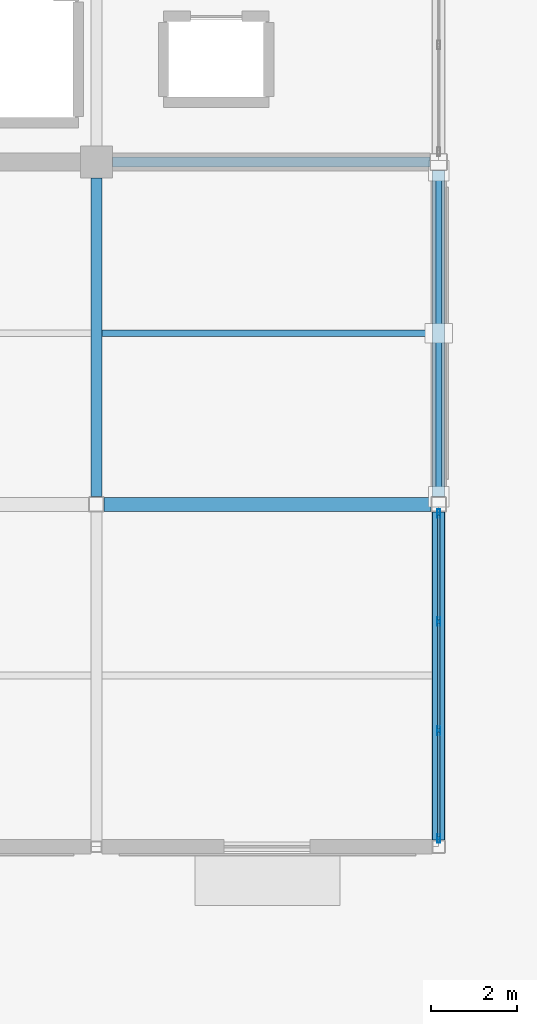
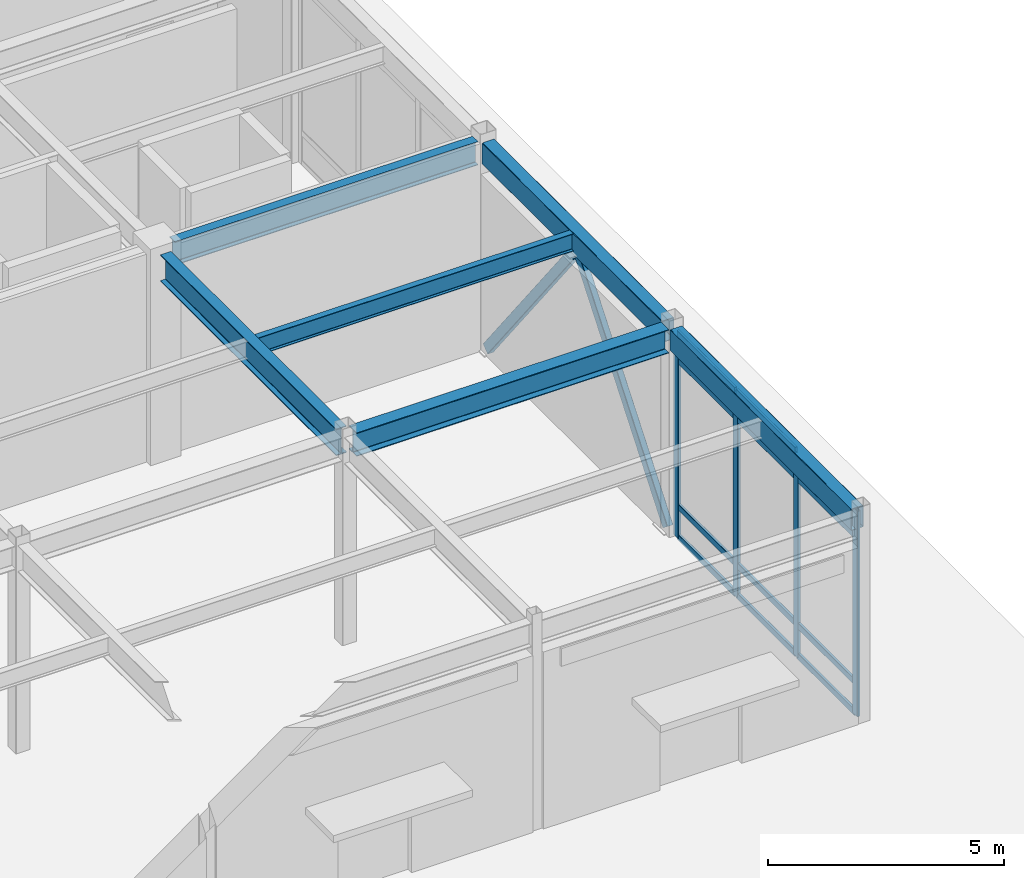
# One storey, part 86 of 128: 18 members, 6 beams, 1 element without a shape of its own.
"""IFC4 building model written with IfcOpenShell, lengths in metres."""

from ifc_helpers import new_model, si_unit, direction, frame, origin, origin_2d, place, context, subcontext, project, spatial, hollow_rectangle, i_section, extrude, material, material_profile, profile_set, type_object, element, aggregate, save


model = new_model("IFC4")

# Units and contexts
model_context = context("Model", 3, precision=1e-05, world=origin(), true_north=direction((0.0, 1.0)))
body_context = subcontext(model_context, "Body", "Model", "MODEL_VIEW")
ifc_project = project(units=[si_unit("LENGTHUNIT", "METRE"), si_unit("AREAUNIT", "SQUARE_METRE"), si_unit("VOLUMEUNIT", "CUBIC_METRE"), si_unit("PLANEANGLEUNIT", "RADIAN"), si_unit("MASSUNIT", "GRAM", prefix="KILO")], contexts=[model_context])

# Site, building, storey
site_placement = place(None, origin())
site = spatial("IfcSite", under=ifc_project, at=site_placement, CompositionType="ELEMENT")
building_placement = place(site_placement, origin())
building = spatial("IfcBuilding", under=site, at=building_placement, Name="Solmirada Galleria", CompositionType="ELEMENT")
storey_placement = place(building_placement, origin())
storey = spatial("IfcBuildingStorey", under=building, at=storey_placement, Name="L00", CompositionType="ELEMENT", Elevation=0.0)

# Beams
ifc_material_1 = material(Name="Steel S355 / ASTM A992 Grade 50", Category="steel")
ifc_material_profile_1 = material_profile(ifc_material_1, i_section(OverallWidth=0.323974609375, OverallDepth=0.611083984375, WebThickness=0.0126953125, FlangeThickness=0.01904296875, FilletRadius=0.014892578125, at=origin_2d()), Name="W24X104")
ifc_profile_set_1 = profile_set([ifc_material_profile_1], Name="Steel S355 / ASTM A992 Grade 50")
beam_type_1 = type_object("IfcBeamType", Name="BM-GIRD-W24A", PredefinedType="BEAM", material=ifc_profile_set_1)
beam_1_placement = place(storey_placement, frame((168.177978515625, 80.0, 5.074462890625), z_axis=(1.0, 0.0, 0.0), x_axis=(0.0, 1.0, 0.0)))
element("IfcBeam", 1, at=beam_1_placement, inside=storey, type_object=beam_type_1, Name="Primary beam L01 X(168..176, 80)", PredefinedType="BEAM", context=body_context, shape_type="SweptSolid", body=[
    extrude(i_section(OverallWidth=0.323974609375, OverallDepth=0.611083984375, WebThickness=0.0126953125, FlangeThickness=0.01904296875, FilletRadius=0.014892578125, at=origin_2d()), origin(), (0.0, 0.0, 1.0), 7.64404296875),
])
ifc_material_profile_2 = material_profile(ifc_material_1, i_section(OverallWidth=0.22900390625, OverallDepth=0.612060546875, WebThickness=0.011962890625, FlangeThickness=0.01953125, FilletRadius=0.014892578125, at=origin_2d()), Name="W24X84")
ifc_profile_set_2 = profile_set([ifc_material_profile_2], Name="Steel S355 / ASTM A992 Grade 50")
beam_type_2 = type_object("IfcBeamType", Name="BM-GIRD-W24B", PredefinedType="BEAM", material=ifc_profile_set_2)
beam_2_placement = place(storey_placement, frame((168.375, 88.0, 5.073974609375), z_axis=(1.0, 0.0, 0.0), x_axis=(0.0, 1.0, 0.0)))
element("IfcBeam", 2, at=beam_2_placement, inside=storey, type_object=beam_type_2, Name="Primary beam L01 X(168..176, 88)", PredefinedType="BEAM", context=body_context, shape_type="SweptSolid", body=[
    extrude(i_section(OverallWidth=0.22900390625, OverallDepth=0.612060546875, WebThickness=0.011962890625, FlangeThickness=0.01953125, FilletRadius=0.014892578125, at=origin_2d()), origin(), (0.0, 0.0, 1.0), 7.422119140625),
])
ifc_material_profile_3 = material_profile(ifc_material_1, i_section(OverallWidth=0.256103515625, OverallDepth=0.693115234375, WebThickness=0.014404296875, FlangeThickness=0.023681640625, FilletRadius=0.01806640625, at=origin_2d()), Name="W27X114")
ifc_profile_set_3 = profile_set([ifc_material_profile_3], Name="Steel S355 / ASTM A992 Grade 50")
beam_type_3 = type_object("IfcBeamType", Name="BM-GIRD-W27A", PredefinedType="BEAM", material=ifc_profile_set_3)
beam_3_placement = place(storey_placement, frame((168.0, 80.177978515625, 5.033447265625), z_axis=(0.0, 1.0, 0.0), x_axis=(-1.0, 0.0, 0.0)))
element("IfcBeam", 3, at=beam_3_placement, inside=storey, type_object=beam_type_3, Name="Primary girder L01 Y(168, 80..88)", PredefinedType="BEAM", context=body_context, shape_type="SweptSolid", body=[
    extrude(i_section(OverallWidth=0.256103515625, OverallDepth=0.693115234375, WebThickness=0.014404296875, FlangeThickness=0.023681640625, FilletRadius=0.01806640625, at=origin_2d()), origin(), (0.0, 0.0, 1.0), 7.447021484375),
])
ifc_material_profile_4 = material_profile(ifc_material_1, i_section(OverallWidth=0.153076171875, OverallDepth=0.455078125, WebThickness=0.008056640625, FlangeThickness=0.01318359375, FilletRadius=0.011962890625, at=origin_2d()), Name="W18X40")
ifc_profile_set_4 = profile_set([ifc_material_profile_4], Name="Steel S355 / ASTM A992 Grade 50")
beam_type_4 = type_object("IfcBeamType", Name="BM-JST-W18A", PredefinedType="JOIST", material=ifc_profile_set_4)
beam_4_placement = place(storey_placement, frame((168.1279296875, 84.0, 5.152587890625), z_axis=(1.0, 0.0, 0.0), x_axis=(0.0, 1.0, 0.0)))
element("IfcBeam", 4, at=beam_4_placement, inside=storey, type_object=beam_type_4, Name="Composite floor joist L01 (168..176, 84.0)", PredefinedType="JOIST", context=body_context, shape_type="SweptSolid", body=[
    extrude(i_section(OverallWidth=0.153076171875, OverallDepth=0.455078125, WebThickness=0.008056640625, FlangeThickness=0.01318359375, FilletRadius=0.011962890625, at=origin_2d()), origin(), (0.0, 0.0, 1.0), 7.719482421875),
])
ifc_material_2 = material(Name="Steel S355 / ASTM A500 Grade C", Category="steel")
ifc_material_profile_5 = material_profile(ifc_material_2, hollow_rectangle(XDim=0.304931640625, YDim=0.55908203125, WallThickness=0.01171875, InnerFilletRadius=0.01171875, OuterFilletRadius=0.023681640625, at=origin_2d()), Name="HSS22X12X1/2")
ifc_profile_set_5 = profile_set([ifc_material_profile_5], Name="Steel S355 / ASTM A500 Grade C")
beam_type_5 = type_object("IfcBeamType", Name="BM-SPAND-W21", PredefinedType="SPANDREL", material=ifc_profile_set_5)
beam_5_placement = place(storey_placement, frame((176.0, 72.152587890625, 5.1005859375), z_axis=(0.0, 1.0, 0.0), x_axis=(-1.0, 0.0, 0.0)))
element("IfcBeam", 5, at=beam_5_placement, inside=storey, type_object=beam_type_5, Name="Primary girder L01 Y(176, 72..80)", PredefinedType="SPANDREL", context=body_context, shape_type="SweptSolid", body=[
    extrude(hollow_rectangle(XDim=0.304931640625, YDim=0.55908203125, WallThickness=0.01171875, InnerFilletRadius=0.01171875, OuterFilletRadius=0.023681640625, at=origin_2d()), origin(), (0.0, 0.0, 1.0), 7.66943359375),
])
beam_6_placement = place(storey_placement, frame((176.0, 80.177978515625, 5.1005859375), z_axis=(0.0, 1.0, 0.0), x_axis=(-1.0, 0.0, 0.0)))
element("IfcBeam", 6, at=beam_6_placement, inside=storey, type_object=beam_type_5, Name="Primary girder L01 Y(176, 80..88)", PredefinedType="SPANDREL", context=body_context, shape_type="SweptSolid", body=[
    extrude(hollow_rectangle(XDim=0.304931640625, YDim=0.55908203125, WallThickness=0.01171875, InnerFilletRadius=0.01171875, OuterFilletRadius=0.023681640625, at=origin_2d()), origin(), (0.0, 0.0, 1.0), 7.619140625),
])

# Curtain wall, members
ifc_material_3 = material(Name="Impact-resistant low-E double glazing", Category="glass")
curtain_wall_type = type_object("IfcCurtainWallType", Name="CW-FZ2-L00-B3-L077", PredefinedType="NOTDEFINED", material=ifc_material_3)
curtain_wall_placement = place(storey_placement, origin())
curtain_wall = element("IfcCurtainWall", 7, at=curtain_wall_placement, inside=storey, type_object=curtain_wall_type, Name="Terrace and arcade storefront CW-L00-014", PredefinedType="NOTDEFINED")
ifc_material_4 = material(Name="Anodised aluminium framing", Category="aluminium")
ifc_material_profile_6 = material_profile(ifc_material_4, hollow_rectangle(XDim=0.070068359375, YDim=0.199951171875, WallThickness=0.004150390625, InnerFilletRadius=0.004150390625, OuterFilletRadius=0.00830078125, at=origin_2d()), Name="ALU-MULL-200X70")
ifc_profile_set_6 = profile_set([ifc_material_profile_6], Name="Anodised aluminium framing")
member_type_1 = type_object("IfcMemberType", Name="CW-MULL-200", PredefinedType="MULLION", material=ifc_profile_set_6)
member_1_placement = place(storey_placement, frame((176.0, 79.784912109375, 0.0), z_axis=(0.0, 0.0, 1.0), x_axis=(1.0, 0.0, 0.0)))
member_1 = element("IfcMember", 8, at=member_1_placement, type_object=member_type_1, Name="CW06 mullion 1", PredefinedType="MULLION", context=body_context, shape_type="SweptSolid", body=[
    extrude(hollow_rectangle(XDim=0.070068359375, YDim=0.199951171875, WallThickness=0.004150390625, InnerFilletRadius=0.004150390625, OuterFilletRadius=0.00830078125, at=origin_2d()), origin(), (0.0, 0.0, 1.0), 5.320068359375),
])
member_2_placement = place(storey_placement, frame((176.0, 77.264892578125, 0.0), z_axis=(0.0, 0.0, 1.0), x_axis=(1.0, 0.0, 0.0)))
member_2 = element("IfcMember", 9, at=member_2_placement, type_object=member_type_1, Name="CW06 mullion 2", PredefinedType="MULLION", context=body_context, shape_type="SweptSolid", body=[
    extrude(hollow_rectangle(XDim=0.070068359375, YDim=0.199951171875, WallThickness=0.004150390625, InnerFilletRadius=0.004150390625, OuterFilletRadius=0.00830078125, at=origin_2d()), origin(), (0.0, 0.0, 1.0), 5.320068359375),
])
member_3_placement = place(storey_placement, frame((176.0, 74.709716796875, 0.0), z_axis=(0.0, 0.0, 1.0), x_axis=(1.0, 0.0, 0.0)))
member_3 = element("IfcMember", 10, at=member_3_placement, type_object=member_type_1, Name="CW06 mullion 3", PredefinedType="MULLION", context=body_context, shape_type="SweptSolid", body=[
    extrude(hollow_rectangle(XDim=0.070068359375, YDim=0.199951171875, WallThickness=0.004150390625, InnerFilletRadius=0.004150390625, OuterFilletRadius=0.00830078125, at=origin_2d()), origin(), (0.0, 0.0, 1.0), 5.320068359375),
])
member_4_placement = place(storey_placement, frame((176.0, 72.189453125, 0.0), z_axis=(0.0, 0.0, 1.0), x_axis=(1.0, 0.0, 0.0)))
member_4 = element("IfcMember", 11, at=member_4_placement, type_object=member_type_1, Name="CW06 mullion 4", PredefinedType="MULLION", context=body_context, shape_type="SweptSolid", body=[
    extrude(hollow_rectangle(XDim=0.070068359375, YDim=0.199951171875, WallThickness=0.004150390625, InnerFilletRadius=0.004150390625, OuterFilletRadius=0.00830078125, at=origin_2d()), origin(), (0.0, 0.0, 1.0), 5.320068359375),
])
ifc_material_profile_7 = material_profile(ifc_material_4, hollow_rectangle(XDim=0.06494140625, YDim=0.159912109375, WallThickness=0.00390625, InnerFilletRadius=0.00390625, OuterFilletRadius=0.007568359375, at=origin_2d()), Name="ALU-TRAN-160X65")
ifc_profile_set_7 = profile_set([ifc_material_profile_7], Name="Anodised aluminium framing")
member_type_2 = type_object("IfcMemberType", Name="CW-TRAN-160", PredefinedType="USERDEFINED", material=ifc_profile_set_7)
member_5_placement = place(storey_placement, frame((176.0, 79.75, 0.032470703125), z_axis=(0.0, -1.0, 0.0), x_axis=(1.0, 0.0, 0.0)))
member_5 = element("IfcMember", 12, at=member_5_placement, type_object=member_type_2, Name="CW06 transom 1.1", ObjectType="TRANSOM", PredefinedType="USERDEFINED", context=body_context, shape_type="SweptSolid", body=[
    extrude(hollow_rectangle(XDim=0.06494140625, YDim=0.159912109375, WallThickness=0.00390625, InnerFilletRadius=0.00390625, OuterFilletRadius=0.007568359375, at=origin_2d()), origin(), (0.0, 0.0, 1.0), 2.4501953125),
])
member_6_placement = place(storey_placement, frame((176.0, 79.75, 0.820068359375), z_axis=(0.0, -1.0, 0.0), x_axis=(1.0, 0.0, 0.0)))
member_6 = element("IfcMember", 13, at=member_6_placement, type_object=member_type_2, Name="CW06 transom 1.2", ObjectType="TRANSOM", PredefinedType="USERDEFINED", context=body_context, shape_type="SweptSolid", body=[
    extrude(hollow_rectangle(XDim=0.06494140625, YDim=0.159912109375, WallThickness=0.00390625, InnerFilletRadius=0.00390625, OuterFilletRadius=0.007568359375, at=origin_2d()), origin(), (0.0, 0.0, 1.0), 2.4501953125),
])
member_7_placement = place(storey_placement, frame((176.0, 79.75, 4.610107421875), z_axis=(0.0, -1.0, 0.0), x_axis=(1.0, 0.0, 0.0)))
member_7 = element("IfcMember", 14, at=member_7_placement, type_object=member_type_2, Name="CW06 transom 1.3", ObjectType="TRANSOM", PredefinedType="USERDEFINED", context=body_context, shape_type="SweptSolid", body=[
    extrude(hollow_rectangle(XDim=0.06494140625, YDim=0.159912109375, WallThickness=0.00390625, InnerFilletRadius=0.00390625, OuterFilletRadius=0.007568359375, at=origin_2d()), origin(), (0.0, 0.0, 1.0), 2.4501953125),
])
member_8_placement = place(storey_placement, frame((176.0, 79.75, 5.28759765625), z_axis=(0.0, -1.0, 0.0), x_axis=(1.0, 0.0, 0.0)))
member_8 = element("IfcMember", 15, at=member_8_placement, type_object=member_type_2, Name="CW06 transom 1.4", ObjectType="TRANSOM", PredefinedType="USERDEFINED", context=body_context, shape_type="SweptSolid", body=[
    extrude(hollow_rectangle(XDim=0.06494140625, YDim=0.159912109375, WallThickness=0.00390625, InnerFilletRadius=0.00390625, OuterFilletRadius=0.007568359375, at=origin_2d()), origin(), (0.0, 0.0, 1.0), 2.4501953125),
])
member_9_placement = place(storey_placement, frame((176.0, 77.229736328125, 0.032470703125), z_axis=(0.0, -1.0, 0.0), x_axis=(1.0, 0.0, 0.0)))
member_9 = element("IfcMember", 16, at=member_9_placement, type_object=member_type_2, Name="CW06 transom 2.1", ObjectType="TRANSOM", PredefinedType="USERDEFINED", context=body_context, shape_type="SweptSolid", body=[
    extrude(hollow_rectangle(XDim=0.06494140625, YDim=0.159912109375, WallThickness=0.00390625, InnerFilletRadius=0.00390625, OuterFilletRadius=0.007568359375, at=origin_2d()), origin(), (0.0, 0.0, 1.0), 2.485107421875),
])
member_10_placement = place(storey_placement, frame((176.0, 77.229736328125, 0.820068359375), z_axis=(0.0, -1.0, 0.0), x_axis=(1.0, 0.0, 0.0)))
member_10 = element("IfcMember", 17, at=member_10_placement, type_object=member_type_2, Name="CW06 transom 2.2", ObjectType="TRANSOM", PredefinedType="USERDEFINED", context=body_context, shape_type="SweptSolid", body=[
    extrude(hollow_rectangle(XDim=0.06494140625, YDim=0.159912109375, WallThickness=0.00390625, InnerFilletRadius=0.00390625, OuterFilletRadius=0.007568359375, at=origin_2d()), origin(), (0.0, 0.0, 1.0), 2.485107421875),
])
member_11_placement = place(storey_placement, frame((176.0, 77.229736328125, 4.610107421875), z_axis=(0.0, -1.0, 0.0), x_axis=(1.0, 0.0, 0.0)))
member_11 = element("IfcMember", 18, at=member_11_placement, type_object=member_type_2, Name="CW06 transom 2.3", ObjectType="TRANSOM", PredefinedType="USERDEFINED", context=body_context, shape_type="SweptSolid", body=[
    extrude(hollow_rectangle(XDim=0.06494140625, YDim=0.159912109375, WallThickness=0.00390625, InnerFilletRadius=0.00390625, OuterFilletRadius=0.007568359375, at=origin_2d()), origin(), (0.0, 0.0, 1.0), 2.485107421875),
])
member_12_placement = place(storey_placement, frame((176.0, 77.229736328125, 5.28759765625), z_axis=(0.0, -1.0, 0.0), x_axis=(1.0, 0.0, 0.0)))
member_12 = element("IfcMember", 19, at=member_12_placement, type_object=member_type_2, Name="CW06 transom 2.4", ObjectType="TRANSOM", PredefinedType="USERDEFINED", context=body_context, shape_type="SweptSolid", body=[
    extrude(hollow_rectangle(XDim=0.06494140625, YDim=0.159912109375, WallThickness=0.00390625, InnerFilletRadius=0.00390625, OuterFilletRadius=0.007568359375, at=origin_2d()), origin(), (0.0, 0.0, 1.0), 2.485107421875),
])
member_13_placement = place(storey_placement, frame((176.0, 74.674560546875, 0.032470703125), z_axis=(0.0, -1.0, 0.0), x_axis=(1.0, 0.0, 0.0)))
member_13 = element("IfcMember", 20, at=member_13_placement, type_object=member_type_2, Name="CW06 transom 3.1", ObjectType="TRANSOM", PredefinedType="USERDEFINED", context=body_context, shape_type="SweptSolid", body=[
    extrude(hollow_rectangle(XDim=0.06494140625, YDim=0.159912109375, WallThickness=0.00390625, InnerFilletRadius=0.00390625, OuterFilletRadius=0.007568359375, at=origin_2d()), origin(), (0.0, 0.0, 1.0), 2.449951171875),
])
member_14_placement = place(storey_placement, frame((176.0, 74.674560546875, 0.820068359375), z_axis=(0.0, -1.0, 0.0), x_axis=(1.0, 0.0, 0.0)))
member_14 = element("IfcMember", 21, at=member_14_placement, type_object=member_type_2, Name="CW06 transom 3.2", ObjectType="TRANSOM", PredefinedType="USERDEFINED", context=body_context, shape_type="SweptSolid", body=[
    extrude(hollow_rectangle(XDim=0.06494140625, YDim=0.159912109375, WallThickness=0.00390625, InnerFilletRadius=0.00390625, OuterFilletRadius=0.007568359375, at=origin_2d()), origin(), (0.0, 0.0, 1.0), 2.449951171875),
])
member_15_placement = place(storey_placement, frame((176.0, 74.674560546875, 4.610107421875), z_axis=(0.0, -1.0, 0.0), x_axis=(1.0, 0.0, 0.0)))
member_15 = element("IfcMember", 22, at=member_15_placement, type_object=member_type_2, Name="CW06 transom 3.3", ObjectType="TRANSOM", PredefinedType="USERDEFINED", context=body_context, shape_type="SweptSolid", body=[
    extrude(hollow_rectangle(XDim=0.06494140625, YDim=0.159912109375, WallThickness=0.00390625, InnerFilletRadius=0.00390625, OuterFilletRadius=0.007568359375, at=origin_2d()), origin(), (0.0, 0.0, 1.0), 2.449951171875),
])
member_16_placement = place(storey_placement, frame((176.0, 74.674560546875, 5.28759765625), z_axis=(0.0, -1.0, 0.0), x_axis=(1.0, 0.0, 0.0)))
member_16 = element("IfcMember", 23, at=member_16_placement, type_object=member_type_2, Name="CW06 transom 3.4", ObjectType="TRANSOM", PredefinedType="USERDEFINED", context=body_context, shape_type="SweptSolid", body=[
    extrude(hollow_rectangle(XDim=0.06494140625, YDim=0.159912109375, WallThickness=0.00390625, InnerFilletRadius=0.00390625, OuterFilletRadius=0.007568359375, at=origin_2d()), origin(), (0.0, 0.0, 1.0), 2.449951171875),
])
aggregate(curtain_wall, [member_1, member_2, member_3, member_4, member_5, member_6, member_7, member_8, member_9, member_10, member_11, member_12, member_13, member_14, member_15, member_16])

# Members
ifc_material_profile_8 = material_profile(ifc_material_2, hollow_rectangle(XDim=0.152099609375, YDim=0.25390625, WallThickness=0.0087890625, InnerFilletRadius=0.0087890625, OuterFilletRadius=0.017822265625, at=origin_2d()), Name="HSS10X6X3/8")
ifc_profile_set_8 = profile_set([ifc_material_profile_8], Name="Steel S355 / ASTM A500 Grade C")
member_type_3 = type_object("IfcMemberType", Name="MEM-CBF-EXT", PredefinedType="BRACE", material=ifc_profile_set_8)
member_17_placement = place(storey_placement, frame((176.0, 80.177978515625, 0.02001953125), z_axis=(0.0, 0.618177250148, 0.786038731488), x_axis=(-1.0, 0.0, 0.0)))
element("IfcMember", 24, at=member_17_placement, inside=storey, type_object=member_type_3, Name="Braced frame diagonal CBF-E1 L00 A", PredefinedType="BRACE", context=body_context, shape_type="SweptSolid", body=[
    extrude(hollow_rectangle(XDim=0.152099609375, YDim=0.25390625, WallThickness=0.0087890625, InnerFilletRadius=0.0087890625, OuterFilletRadius=0.017822265625, at=origin_2d()), origin(), (0.0, 0.0, 1.0), 6.1826171875),
])
member_18_placement = place(storey_placement, frame((176.0, 87.797119140625, 0.02001953125), z_axis=(0.0, -0.615679378184, 0.787996766034), x_axis=(1.0, 0.0, 0.0)))
element("IfcMember", 25, at=member_18_placement, inside=storey, type_object=member_type_3, Name="Braced frame diagonal CBF-E1 L00 B", PredefinedType="BRACE", context=body_context, shape_type="SweptSolid", body=[
    extrude(hollow_rectangle(XDim=0.152099609375, YDim=0.25390625, WallThickness=0.0087890625, InnerFilletRadius=0.0087890625, OuterFilletRadius=0.017822265625, at=origin_2d()), origin(), (0.0, 0.0, 1.0), 6.16748046875),
])

save(model, "model.ifc")
